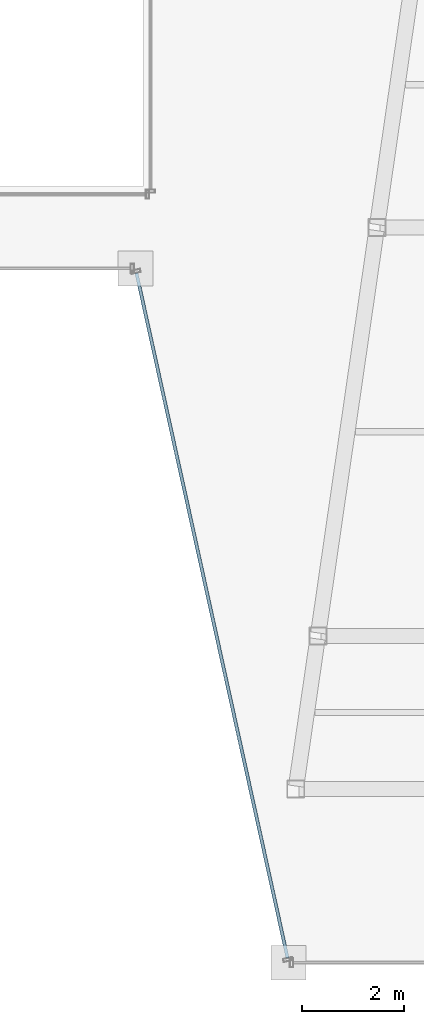
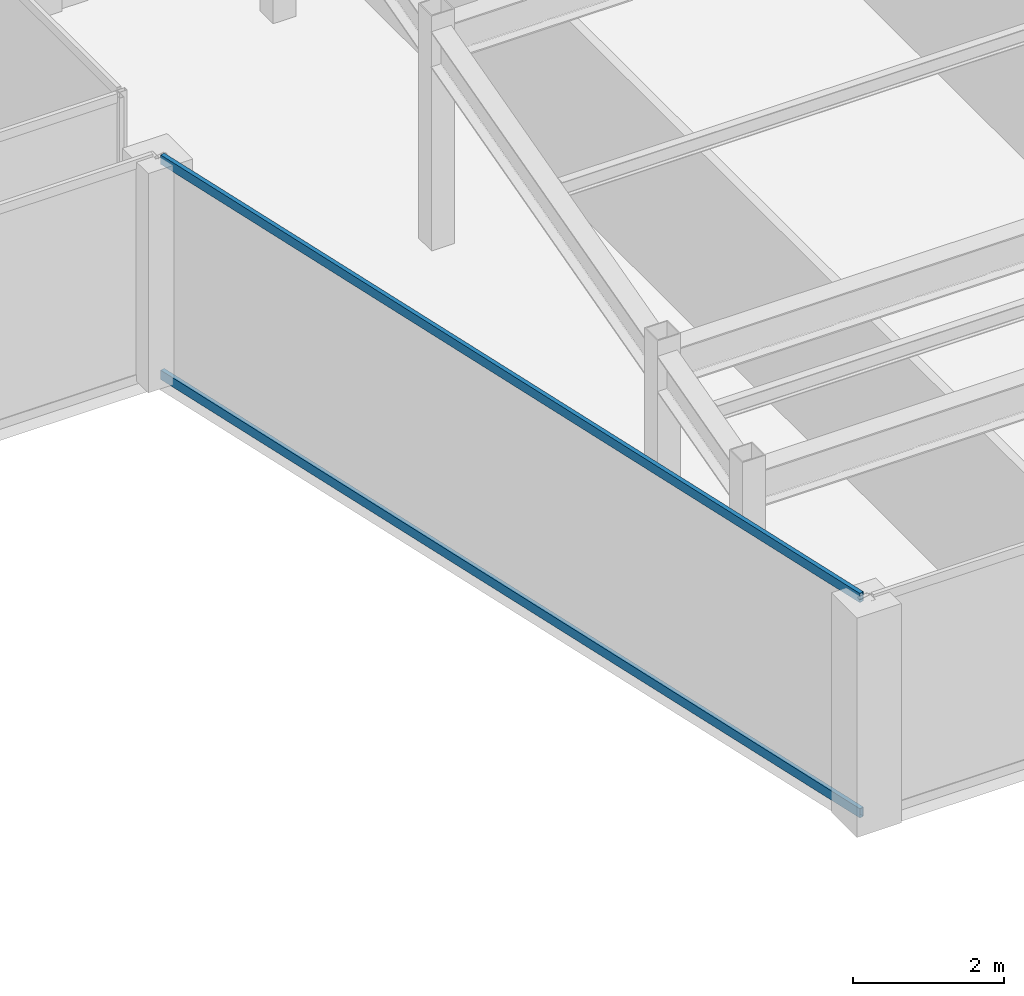
# One storey, part 13 of 33: 2 members, 1 element without a shape of its own.
"""IFC4 building model written with IfcOpenShell, lengths in metres."""

from ifc_helpers import new_model, si_unit, direction, frame, origin, origin_2d, place, context, subcontext, project, spatial, hollow_rectangle, extrude, material, material_profile, profile_set, type_object, element, aggregate, save


model = new_model("IFC4")

# Units and contexts
model_context = context("Model", 3, precision=1e-05, world=origin(), true_north=direction((0.0, 1.0)))
body_context = subcontext(model_context, "Body", "Model", "MODEL_VIEW")
ifc_project = project(units=[si_unit("LENGTHUNIT", "METRE"), si_unit("AREAUNIT", "SQUARE_METRE"), si_unit("VOLUMEUNIT", "CUBIC_METRE"), si_unit("PLANEANGLEUNIT", "RADIAN"), si_unit("MASSUNIT", "GRAM", prefix="KILO")], contexts=[model_context])

# Site, building, storey
site_placement = place(None, origin())
site = spatial("IfcSite", under=ifc_project, at=site_placement, CompositionType="ELEMENT")
building_placement = place(site_placement, origin())
building = spatial("IfcBuilding", under=site, at=building_placement, Name="Saevonmaru Cultural Tower", CompositionType="ELEMENT")
storey_placement = place(building_placement, frame((0.0, 0.0, 238.199951171875)))
storey = spatial("IfcBuildingStorey", under=building, at=storey_placement, Name="L55", CompositionType="ELEMENT", Elevation=238.199951171875)

# Curtain wall, members
ifc_material = material(Name="Satin Bronze Anodised Aluminium", Category="aluminium")
curtain_wall_type = type_object("IfcCurtainWallType", Name="CW-TYP-B", PredefinedType="NOTDEFINED", material=ifc_material)
curtain_wall_placement = place(storey_placement, origin())
curtain_wall = element("IfcCurtainWall", 1, at=curtain_wall_placement, inside=storey, type_object=curtain_wall_type, Name="L55 Unitised Curtain Wall E5", PredefinedType="NOTDEFINED")
ifc_material_profile = material_profile(ifc_material, hollow_rectangle(XDim=0.06494140625, YDim=0.14990234375, WallThickness=0.00390625, at=origin_2d()), Name="ALU-TRAN-150x65x4")
ifc_profile_set = profile_set([ifc_material_profile], Name="Satin Bronze Anodised Aluminium")
member_type = type_object("IfcMemberType", Name="TR-CW-150x65", PredefinedType="USERDEFINED", material=ifc_profile_set)
member_1_placement = place(storey_placement, frame((35.673095703125, 31.109619140625, 0.032470703125), z_axis=(0.215415884539, -0.976522399481, 0.0), x_axis=(0.976522399481, 0.215415884539, 0.0)))
member_1 = element("IfcMember", 2, at=member_1_placement, type_object=member_type, Name="CW-TW-L55-E5 transom 1.1", ObjectType="TRANSOM", PredefinedType="USERDEFINED", context=body_context, shape_type="SweptSolid", body=[
    extrude(hollow_rectangle(XDim=0.06494140625, YDim=0.14990234375, WallThickness=0.00390625, at=origin_2d()), origin(), (0.0, 0.0, 1.0), 13.74169921875),
])
member_2_placement = place(storey_placement, frame((35.673095703125, 31.109619140625, 3.517578125), z_axis=(0.215415884539, -0.976522399481, 0.0), x_axis=(0.976522399481, 0.215415884539, 0.0)))
member_2 = element("IfcMember", 3, at=member_2_placement, type_object=member_type, Name="CW-TW-L55-E5 transom 1.2", ObjectType="TRANSOM", PredefinedType="USERDEFINED", context=body_context, shape_type="SweptSolid", body=[
    extrude(hollow_rectangle(XDim=0.06494140625, YDim=0.14990234375, WallThickness=0.00390625, at=origin_2d()), origin(), (0.0, 0.0, 1.0), 13.74169921875),
])
aggregate(curtain_wall, [member_1, member_2])

save(model, "model.ifc")
